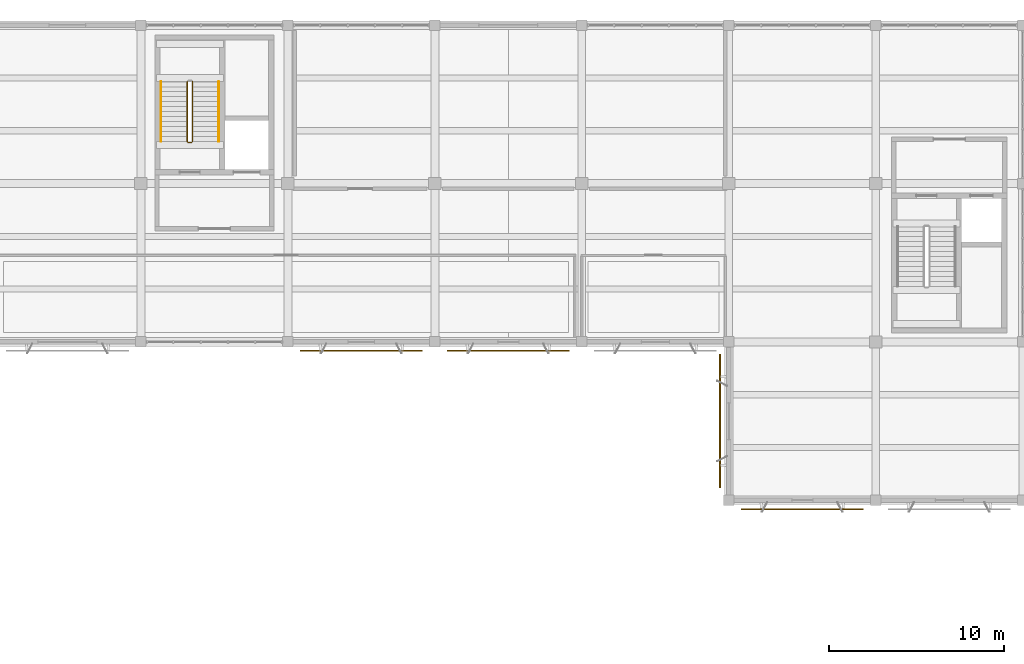
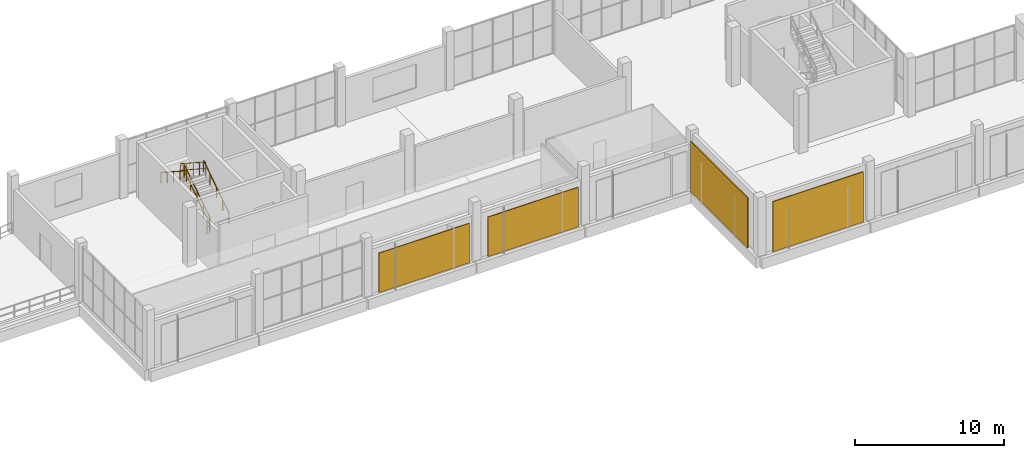
# One storey, part 77 of 80: 5 railings, 4 shading devices.
"""IFC4 building model written with IfcOpenShell, lengths in metres."""

from ifc_helpers import new_model, si_unit, direction, frame, origin, origin_2d, place, context, subcontext, project, spatial, rectangle, circle, extrude, material, layer, layer_set, type_object, element, save


model = new_model("IFC4")

# Units and contexts
model_context = context("Model", 3, precision=1e-05, world=origin(), true_north=direction((0.0, 1.0)))
body_context = subcontext(model_context, "Body", "Model", "MODEL_VIEW")
ifc_project = project(units=[si_unit("LENGTHUNIT", "METRE"), si_unit("AREAUNIT", "SQUARE_METRE"), si_unit("VOLUMEUNIT", "CUBIC_METRE"), si_unit("PLANEANGLEUNIT", "RADIAN"), si_unit("MASSUNIT", "GRAM", prefix="KILO")], contexts=[model_context])

# Site, building, storey
site_placement = place(None, origin())
site = spatial("IfcSite", under=ifc_project, at=site_placement, CompositionType="ELEMENT")
building_placement = place(site_placement, origin())
building = spatial("IfcBuilding", under=site, at=building_placement, Name="Khurvash Pelagic Aquarium", CompositionType="ELEMENT")
storey_placement = place(building_placement, frame((0.0, 0.0, 10.800048828125)))
storey = spatial("IfcBuildingStorey", under=building, at=storey_placement, Name="L02", CompositionType="ELEMENT", Elevation=10.800048828125)

# Railings
ifc_material_1 = material(Name="Powder-coated galvanised steel S355J2", Category="steel")
railing_type_1 = type_object("IfcRailingType", Name="GR-01", PredefinedType="GUARDRAIL", material=ifc_material_1)
railing_1_placement = place(storey_placement, frame((70.14990234375, 95.5, 0.1845703125)))
element("IfcRailing", 1, at=railing_1_placement, inside=storey, type_object=railing_type_1, Name="L02 ST-04 stair guard 1", PredefinedType="GUARDRAIL", context=body_context, shape_type="SweptSolid", body=[
    extrude(circle(Radius=0.02392578125, at=origin_2d()), frame((0.0, 0.0, 1.076171875), z_axis=(0.0, 0.839296777647, 0.54367354086), x_axis=(-1.0, 0.0, 0.0)), (0.0, 0.0, 1.0), 4.07470703125),
    extrude(circle(Radius=0.02392578125, at=origin_2d()), frame((0.0, 0.0, 0.5380859375), z_axis=(0.0, 0.839296777647, 0.54367354086), x_axis=(-1.0, 0.0, 0.0)), (0.0, 0.0, 1.0), 4.07470703125),
    extrude(circle(Radius=0.02099609375, at=origin_2d()), origin(), (0.0, 0.0, 1.0), 1.052001953125),
    extrude(circle(Radius=0.02099609375, at=origin_2d()), frame((0.0, 0.85498046875, 0.5537109375)), (0.0, 0.0, 1.0), 1.052001953125),
    extrude(circle(Radius=0.02099609375, at=origin_2d()), frame((0.0, 1.7099609375, 1.107666015625)), (0.0, 0.0, 1.0), 1.052001953125),
    extrude(circle(Radius=0.02099609375, at=origin_2d()), frame((0.0, 2.56494140625, 1.66162109375)), (0.0, 0.0, 1.0), 1.052001953125),
    extrude(circle(Radius=0.02099609375, at=origin_2d()), frame((0.0, 3.419921875, 2.21533203125)), (0.0, 0.0, 1.0), 1.052001953125),
])
railing_2_placement = place(storey_placement, frame((69.85009765625, 98.919921875, 2.58447265625)))
element("IfcRailing", 2, at=railing_2_placement, inside=storey, type_object=railing_type_1, Name="L02 ST-04 stair guard 3", PredefinedType="GUARDRAIL", context=body_context, shape_type="SweptSolid", body=[
    extrude(circle(Radius=0.02392578125, at=origin_2d()), frame((0.0, 0.0, 1.076171875), z_axis=(0.0, -0.839269437812, 0.543715744442), x_axis=(1.0, 0.0, 0.0)), (0.0, 0.0, 1.0), 4.074951171875),
    extrude(circle(Radius=0.02392578125, at=origin_2d()), frame((0.0, 0.0, 0.5380859375), z_axis=(0.0, -0.839269437812, 0.543715744442), x_axis=(1.0, 0.0, 0.0)), (0.0, 0.0, 1.0), 4.074951171875),
    extrude(circle(Radius=0.02099609375, at=origin_2d()), origin(), (0.0, 0.0, 1.0), 1.052001953125),
    extrude(circle(Radius=0.02099609375, at=origin_2d()), frame((0.0, -0.85498046875, 0.553955078125)), (0.0, 0.0, 1.0), 1.052001953125),
    extrude(circle(Radius=0.02099609375, at=origin_2d()), frame((0.0, -1.7099609375, 1.10791015625)), (0.0, 0.0, 1.0), 1.052001953125),
    extrude(circle(Radius=0.02099609375, at=origin_2d()), frame((0.0, -2.56494140625, 1.66162109375)), (0.0, 0.0, 1.0), 1.052001953125),
    extrude(circle(Radius=0.02099609375, at=origin_2d()), frame((0.0, -3.419921875, 2.215576171875)), (0.0, 0.0, 1.0), 1.052001953125),
])
railing_3_placement = place(storey_placement, frame((70.10009765625, 95.449951171875, 0.0)))
element("IfcRailing", 3, at=railing_3_placement, inside=storey, type_object=railing_type_1, Name="L02 ST-04 stair guard 4", PredefinedType="GUARDRAIL", context=body_context, shape_type="SweptSolid", body=[
    extrude(circle(Radius=0.02392578125, at=origin_2d()), frame((0.0, 0.0, 1.076171875), z_axis=(-1.0, 0.0, 0.0), x_axis=(0.0, -1.0, 0.0)), (0.0, 0.0, 1.0), 0.2001953125),
    extrude(circle(Radius=0.02392578125, at=origin_2d()), frame((0.0, 0.0, 0.5380859375), z_axis=(-1.0, 0.0, 0.0), x_axis=(0.0, -1.0, 0.0)), (0.0, 0.0, 1.0), 0.2001953125),
    extrude(circle(Radius=0.02099609375, at=origin_2d()), origin(), (0.0, 0.0, 1.0), 1.052001953125),
    extrude(circle(Radius=0.02099609375, at=origin_2d()), frame((-0.2001953125, 0.0, 0.0)), (0.0, 0.0, 1.0), 1.052001953125),
])
ifc_material_2 = material(Name="Brushed stainless steel 316", Category="steel")
railing_type_2 = type_object("IfcRailingType", Name="HR-01", PredefinedType="HANDRAIL", material=ifc_material_2)
railing_4_placement = place(storey_placement, frame((71.64990234375, 95.5, 0.1845703125)))
element("IfcRailing", 4, at=railing_4_placement, inside=storey, type_object=railing_type_2, Name="L02 ST-04 stair handrail 1", PredefinedType="HANDRAIL", context=body_context, shape_type="SweptSolid", body=[
    extrude(circle(Radius=0.02392578125, at=origin_2d()), frame((0.0, 0.0, 0.8759765625), z_axis=(0.0, 0.839296777647, 0.54367354086), x_axis=(-1.0, 0.0, 0.0)), (0.0, 0.0, 1.0), 4.07470703125),
    extrude(circle(Radius=0.02099609375, at=origin_2d()), origin(), (0.0, 0.0, 1.0), 0.851806640625),
    extrude(circle(Radius=0.02099609375, at=origin_2d()), frame((0.0, 0.85498046875, 0.5537109375)), (0.0, 0.0, 1.0), 0.851806640625),
    extrude(circle(Radius=0.02099609375, at=origin_2d()), frame((0.0, 1.7099609375, 1.107666015625)), (0.0, 0.0, 1.0), 0.851806640625),
    extrude(circle(Radius=0.02099609375, at=origin_2d()), frame((0.0, 2.56494140625, 1.66162109375)), (0.0, 0.0, 1.0), 0.851806640625),
    extrude(circle(Radius=0.02099609375, at=origin_2d()), frame((0.0, 3.419921875, 2.21533203125)), (0.0, 0.0, 1.0), 0.851806640625),
])
railing_5_placement = place(storey_placement, frame((68.35009765625, 98.919921875, 2.58447265625)))
element("IfcRailing", 5, at=railing_5_placement, inside=storey, type_object=railing_type_2, Name="L02 ST-04 stair handrail 2", PredefinedType="HANDRAIL", context=body_context, shape_type="SweptSolid", body=[
    extrude(circle(Radius=0.02392578125, at=origin_2d()), frame((0.0, 0.0, 0.8759765625), z_axis=(0.0, -0.839269437812, 0.543715744442), x_axis=(1.0, 0.0, 0.0)), (0.0, 0.0, 1.0), 4.074951171875),
    extrude(circle(Radius=0.02099609375, at=origin_2d()), origin(), (0.0, 0.0, 1.0), 0.851806640625),
    extrude(circle(Radius=0.02099609375, at=origin_2d()), frame((0.0, -0.85498046875, 0.553955078125)), (0.0, 0.0, 1.0), 0.851806640625),
    extrude(circle(Radius=0.02099609375, at=origin_2d()), frame((0.0, -1.7099609375, 1.10791015625)), (0.0, 0.0, 1.0), 0.851806640625),
    extrude(circle(Radius=0.02099609375, at=origin_2d()), frame((0.0, -2.56494140625, 1.66162109375)), (0.0, 0.0, 1.0), 0.851806640625),
    extrude(circle(Radius=0.02099609375, at=origin_2d()), frame((0.0, -3.419921875, 2.215576171875)), (0.0, 0.0, 1.0), 0.851806640625),
])

# Shading devices
ifc_material_3 = material(Name="Extruded anodised aluminium fin", Category="aluminium")
ifc_layer_1 = layer(ifc_material_3, 0.074951171875)
ifc_layer_set_1 = layer_set([ifc_layer_1], Name="Extruded anodised aluminium fin")
shading_device_type_1 = type_object("IfcShadingDeviceType", Name="SH-FIN", PredefinedType="USERDEFINED", material=ifc_layer_set_1)
shading_device_1_placement = place(storey_placement, frame((100.2900390625, 79.52490234375, 0.199951171875), z_axis=(0.0, 0.0, 1.0), x_axis=(0.0, -1.0, 0.0)))
element("IfcShadingDevice", 6, at=shading_device_1_placement, inside=storey, type_object=shading_device_type_1, Name="L02 Perforated Aluminium Jali Screen SH-FIN 0021", ObjectType="SOLAR FIN", PredefinedType="USERDEFINED", context=body_context, shape_type="SweptSolid", body=[
    extrude(rectangle(XDim=7.639892578125, YDim=0.074951171875, at=origin_2d()), origin(), (0.0, 0.0, 1.0), 4.10009765625),
])
ifc_material_4 = material(Name="Perforated anodised aluminium AW-5005", Category="aluminium")
ifc_layer_2 = layer(ifc_material_4, 0.06005859375)
ifc_layer_set_2 = layer_set([ifc_layer_2], Name="Perforated anodised aluminium AW-5005")
shading_device_type_2 = type_object("IfcShadingDeviceType", Name="SH-JAL", PredefinedType="JALOUSIE", material=ifc_layer_set_2)
for number, where, z_axis, x_axis, name in (
    (7, (79.800048828125, 83.5400390625, 0.199951171875), (0.0, 0.0, 1.0), (1.0, 0.0, 0.0), "L02 Perforated Aluminium Jali Screen SH-JAL 0018"),
    (8, (88.199951171875, 83.5400390625, 0.199951171875), (0.0, 0.0, 1.0), (1.0, 0.0, 0.0), "L02 Perforated Aluminium Jali Screen SH-JAL 0019"),
):
    element("IfcShadingDevice", number, at=place(storey_placement, frame(where, z_axis=z_axis, x_axis=x_axis)), inside=storey, type_object=shading_device_type_2, Name=name, PredefinedType="JALOUSIE", context=body_context, shape_type="SweptSolid", body=[
        extrude(rectangle(XDim=6.989990234375, YDim=0.06005859375, at=origin_2d()), origin(), (0.0, 0.0, 1.0), 3.22998046875),
    ])
shading_device_2_placement = place(storey_placement, frame((105.0, 74.489990234375, 0.199951171875), z_axis=(0.0, 0.0, 1.0), x_axis=(1.0, 0.0, 0.0)))
element("IfcShadingDevice", 9, at=shading_device_2_placement, inside=storey, type_object=shading_device_type_2, Name="L02 Perforated Aluminium Jali Screen SH-JAL 0022", PredefinedType="JALOUSIE", context=body_context, shape_type="SweptSolid", body=[
    extrude(rectangle(XDim=6.989990234375, YDim=0.06005859375, at=origin_2d()), origin(), (0.0, 0.0, 1.0), 4.10009765625),
])

save(model, "model.ifc")
